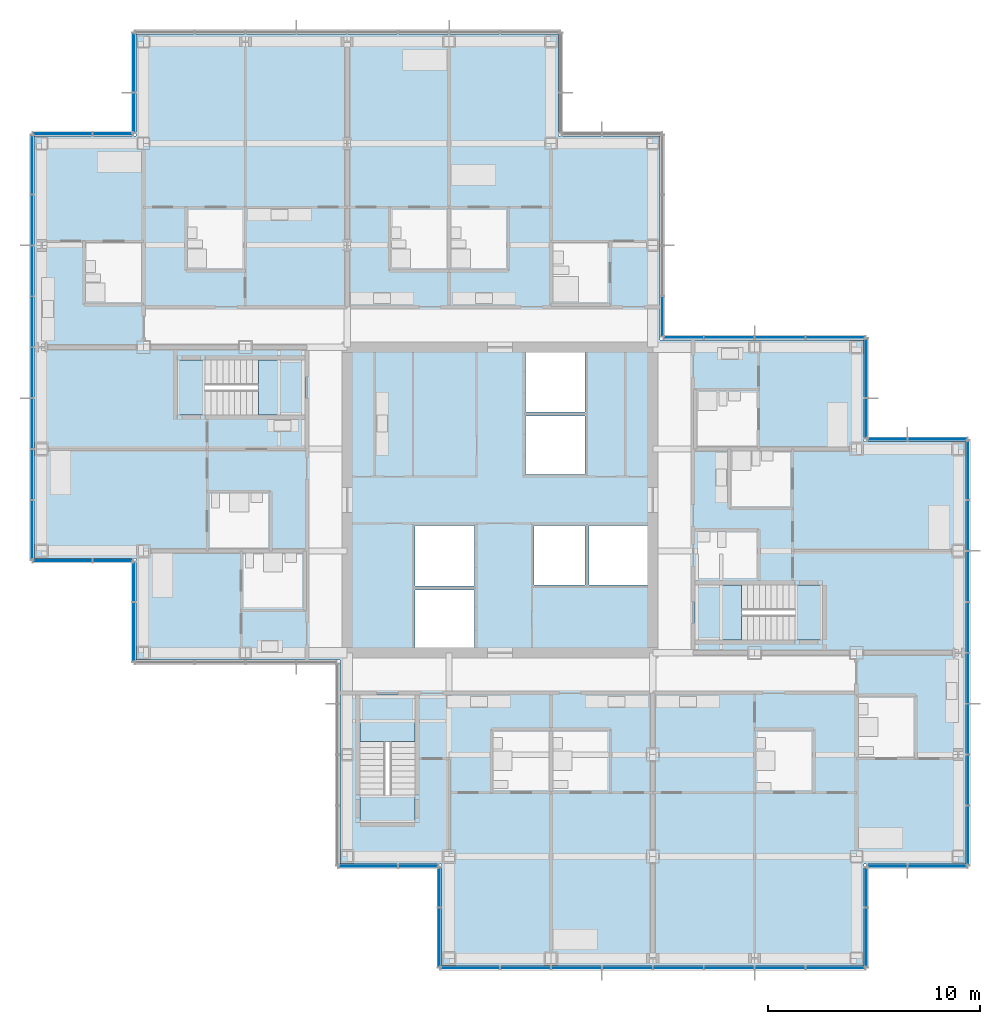
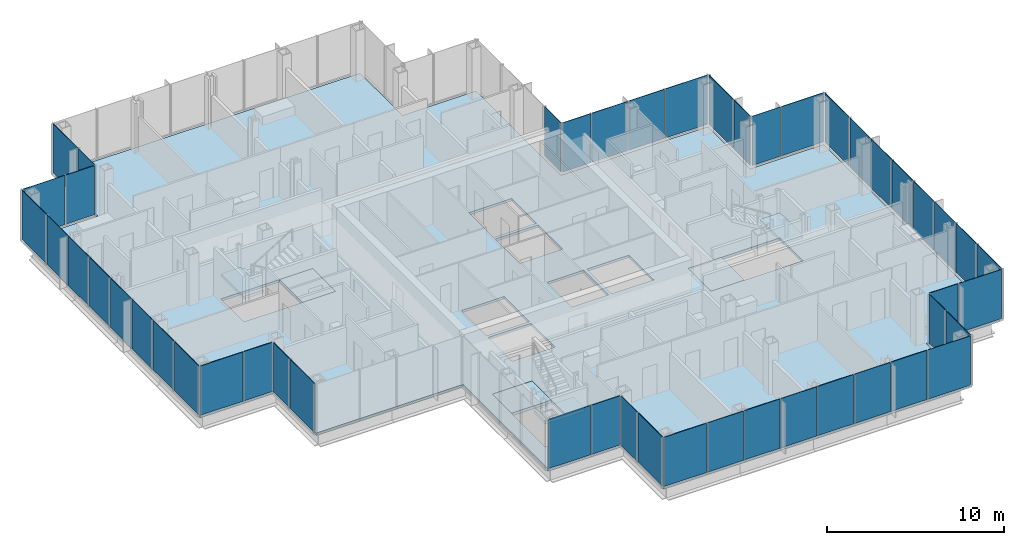
# One storey, part 12 of 20: 49 plates, 7 slabs, 18 elements without a shape of their own.
"""IFC4 building model written with IfcOpenShell, lengths in metres."""

from ifc_helpers import new_model, si_unit, direction, frame, origin, origin_2d, place, context, subcontext, project, spatial, polyline, rectangle, outline, extrude, material, layer, layer_set, type_object, element, aggregate, save


model = new_model("IFC4")

# Units and contexts
model_context = context("Model", 3, precision=1e-05, world=origin(), true_north=direction((0.0, 1.0)))
body_context = subcontext(model_context, "Body", "Model", "MODEL_VIEW")
ifc_project = project(units=[si_unit("LENGTHUNIT", "METRE"), si_unit("AREAUNIT", "SQUARE_METRE"), si_unit("VOLUMEUNIT", "CUBIC_METRE"), si_unit("PLANEANGLEUNIT", "RADIAN"), si_unit("MASSUNIT", "GRAM", prefix="KILO")], contexts=[model_context])

# Site, building, storey
site_placement = place(None, origin())
site = spatial("IfcSite", under=ifc_project, at=site_placement, CompositionType="ELEMENT")
building_placement = place(site_placement, origin())
building = spatial("IfcBuilding", under=site, at=building_placement, Name="Kvirike Care Tower", CompositionType="ELEMENT")
storey_placement = place(building_placement, frame((0.0, 0.0, 94.5)))
storey = spatial("IfcBuildingStorey", under=building, at=storey_placement, Name="L25", CompositionType="ELEMENT", Elevation=94.5)

# Slab
ifc_material_1 = material(Name="Concrete C35/45", Category="concrete")
ifc_layer_1 = layer(ifc_material_1, 0.169921875)
ifc_layer_set_1 = layer_set([ifc_layer_1], Name="FLOOR SLAB 170")
slab_type_1 = type_object("IfcSlabType", Name="FLOOR SLAB 170", PredefinedType="FLOOR", material=ifc_layer_set_1)
slab_1_placement = place(storey_placement, frame((0.0, 0.0, -0.169921875)))
element("IfcSlab", 1, at=slab_1_placement, inside=storey, type_object=slab_type_1, Name="Floor slab L25", PredefinedType="FLOOR", context=body_context, shape_type="SweptSolid", body=[
    extrude(outline(polyline([(43.550048828125, 18.85009765625), (43.550048828125, 38.75), (38.75, 38.75), (38.75, 43.550048828125), (29.14990234375, 43.550048828125), (29.14990234375, 53.14990234375), (24.35009765625, 53.14990234375), (24.35009765625, 57.949951171875), (4.449951171875, 57.949951171875), (4.449951171875, 53.14990234375), (-0.35009765625, 53.14990234375), (-0.35009765625, 33.25), (4.449951171875, 33.25), (4.449951171875, 28.449951171875), (14.050048828125, 28.449951171875), (14.050048828125, 18.85009765625), (18.85009765625, 18.85009765625), (18.85009765625, 14.050048828125), (38.75, 14.050048828125), (38.75, 18.85009765625), (43.550048828125, 18.85009765625)]), holes=[polyline([(17.60009765625, 29.050048828125), (17.60009765625, 31.75), (20.39990234375, 31.75), (20.39990234375, 29.050048828125), (17.60009765625, 29.050048828125)]), polyline([(17.60009765625, 31.949951171875), (17.60009765625, 34.800048828125), (20.39990234375, 34.800048828125), (20.39990234375, 31.949951171875), (17.60009765625, 31.949951171875)]), polyline([(22.800048828125, 37.199951171875), (22.800048828125, 39.949951171875), (25.60009765625, 39.949951171875), (25.60009765625, 37.199951171875), (22.800048828125, 37.199951171875)]), polyline([(22.800048828125, 40.14990234375), (22.800048828125, 42.949951171875), (25.60009765625, 42.949951171875), (25.60009765625, 40.14990234375), (22.800048828125, 40.14990234375)]), polyline([(23.199951171875, 32.0), (23.199951171875, 34.800048828125), (25.60009765625, 34.800048828125), (25.60009765625, 32.0), (23.199951171875, 32.0)]), polyline([(25.800048828125, 32.0), (25.800048828125, 34.800048828125), (28.550048828125, 34.800048828125), (28.550048828125, 32.0), (25.800048828125, 32.0)]), polyline([(12.39990234375, 42.60009765625), (12.39990234375, 40.0), (6.39990234375, 40.0), (6.39990234375, 42.60009765625), (12.39990234375, 42.60009765625)]), polyline([(30.800048828125, 29.39990234375), (30.800048828125, 32.0), (36.800048828125, 32.0), (36.800048828125, 29.39990234375), (30.800048828125, 29.39990234375)]), polyline([(15.0, 26.800048828125), (17.60009765625, 26.800048828125), (17.60009765625, 20.800048828125), (15.0, 20.800048828125), (15.0, 26.800048828125)])]), origin(), (0.0, 0.0, 1.0), 0.169921875),
])

# Stair, slabs
ifc_material_2 = material(Name="Concrete C35/45", Category="concrete")
stair_type = type_object("IfcStairType", Name="STAIR 20 RISERS", PredefinedType="HALF_TURN_STAIR", material=ifc_material_2)
stair_1_placement = place(storey_placement, origin())
stair_1 = element("IfcStair", 2, at=stair_1_placement, inside=storey, type_object=stair_type, Name="Stair 1 L25", PredefinedType="HALF_TURN_STAIR")
ifc_material_3 = material(Name="Concrete C35/45", Category="concrete")
ifc_layer_2 = layer(ifc_material_3, 0.199951171875)
ifc_layer_set_2 = layer_set([ifc_layer_2], Name="STAIR LANDING 200")
slab_type_2 = type_object("IfcSlabType", Name="STAIR LANDING 200", PredefinedType="LANDING", material=ifc_layer_set_2)
slab_2_placement = place(storey_placement, frame((0.0, 0.0, -0.199951171875)))
slab_2 = element("IfcSlab", 3, at=slab_2_placement, type_object=slab_type_2, Name="Stair S1 floor landing L25", PredefinedType="LANDING", context=body_context, shape_type="SweptSolid", body=[
    extrude(outline(polyline([(10.219970703125, 42.60009765625), (10.219970703125, 40.0), (12.39990234375, 40.0), (12.39990234375, 42.60009765625), (10.219970703125, 42.60009765625)])), origin(), (0.0, 0.0, 1.0), 0.199951171875),
])
slab_3_placement = place(storey_placement, frame((0.0, 0.0, 1.550048828125)))
slab_3 = element("IfcSlab", 4, at=slab_3_placement, type_object=slab_type_2, Name="Stair S1 half landing L25-L26", PredefinedType="LANDING", context=body_context, shape_type="SweptSolid", body=[
    extrude(outline(polyline([(6.39990234375, 42.60009765625), (6.39990234375, 40.0), (7.699951171875, 40.0), (7.699951171875, 42.60009765625), (6.39990234375, 42.60009765625)])), origin(), (0.0, 0.0, 1.0), 0.199951171875),
])
aggregate(stair_1, [slab_2, slab_3])

stair_2_placement = place(storey_placement, origin())
stair_2 = element("IfcStair", 5, at=stair_2_placement, inside=storey, type_object=stair_type, Name="Stair 2 L25", PredefinedType="HALF_TURN_STAIR")
slab_4_placement = place(storey_placement, frame((0.0, 0.0, -0.199951171875)))
slab_4 = element("IfcSlab", 6, at=slab_4_placement, type_object=slab_type_2, Name="Stair S2 floor landing L25", PredefinedType="LANDING", context=body_context, shape_type="SweptSolid", body=[
    extrude(outline(polyline([(32.97998046875, 29.39990234375), (32.97998046875, 32.0), (30.800048828125, 32.0), (30.800048828125, 29.39990234375), (32.97998046875, 29.39990234375)])), origin(), (0.0, 0.0, 1.0), 0.199951171875),
])
slab_5_placement = place(storey_placement, frame((0.0, 0.0, 1.550048828125)))
slab_5 = element("IfcSlab", 7, at=slab_5_placement, type_object=slab_type_2, Name="Stair S2 half landing L25-L26", PredefinedType="LANDING", context=body_context, shape_type="SweptSolid", body=[
    extrude(outline(polyline([(36.800048828125, 29.39990234375), (36.800048828125, 32.0), (35.5, 32.0), (35.5, 29.39990234375), (36.800048828125, 29.39990234375)])), origin(), (0.0, 0.0, 1.0), 0.199951171875),
])
aggregate(stair_2, [slab_4, slab_5])

stair_3_placement = place(storey_placement, origin())
stair_3 = element("IfcStair", 8, at=stair_3_placement, inside=storey, type_object=stair_type, Name="Stair 5 L25", PredefinedType="HALF_TURN_STAIR")
slab_6_placement = place(storey_placement, frame((0.0, 0.0, -0.199951171875)))
slab_6 = element("IfcSlab", 9, at=slab_6_placement, type_object=slab_type_2, Name="Stair S5 floor landing L25", PredefinedType="LANDING", context=body_context, shape_type="SweptSolid", body=[
    extrude(outline(polyline([(15.0, 24.6201171875), (17.60009765625, 24.6201171875), (17.60009765625, 26.800048828125), (15.0, 26.800048828125), (15.0, 24.6201171875)])), origin(), (0.0, 0.0, 1.0), 0.199951171875),
])
slab_7_placement = place(storey_placement, frame((0.0, 0.0, 1.550048828125)))
slab_7 = element("IfcSlab", 10, at=slab_7_placement, type_object=slab_type_2, Name="Stair S5 half landing L25-L26", PredefinedType="LANDING", context=body_context, shape_type="SweptSolid", body=[
    extrude(outline(polyline([(15.0, 20.800048828125), (17.60009765625, 20.800048828125), (17.60009765625, 22.10009765625), (15.0, 22.10009765625), (15.0, 20.800048828125)])), origin(), (0.0, 0.0, 1.0), 0.199951171875),
])
aggregate(stair_3, [slab_6, slab_7])

# Curtain wall, plates
ifc_material_4 = material(Name="Anodised aluminium stick system", Category="aluminium")
curtain_wall_type = type_object("IfcCurtainWallType", Name="CW-B STICK CURTAIN WALL", PredefinedType="NOTDEFINED", material=ifc_material_4)
curtain_wall_1_placement = place(storey_placement, origin())
curtain_wall_1 = element("IfcCurtainWall", 11, at=curtain_wall_1_placement, inside=storey, type_object=curtain_wall_type, Name="Curtain wall L25 face 1", PredefinedType="NOTDEFINED")
ifc_material_5 = material(Name="Tinted double glazed unit", Category="glass")
ifc_layer_3 = layer(ifc_material_5, 0.035888671875)
ifc_layer_set_3 = layer_set([ifc_layer_3], Name="TINTED VISION PANEL 36")
plate_type = type_object("IfcPlateType", Name="TINTED VISION PANEL 36", PredefinedType="CURTAIN_PANEL", material=ifc_layer_set_3)
plate_1_placement = place(storey_placement, frame((43.659912109375, 20.186279296875, 0.10009765625), z_axis=(0.0, 0.0, 1.0), x_axis=(0.0, 1.0, 0.0)))
plate_1 = element("IfcPlate", 12, at=plate_1_placement, type_object=plate_type, Name="CW-B panel L25 face 1.1", PredefinedType="CURTAIN_PANEL", context=body_context, shape_type="SweptSolid", body=[
    extrude(rectangle(XDim=2.762451171875, YDim=0.035888671875, at=origin_2d()), origin(), (0.0, 0.0, 1.0), 3.39990234375),
])
plate_2_placement = place(storey_placement, frame((43.659912109375, 22.800048828125, 0.10009765625), z_axis=(0.0, 0.0, 1.0), x_axis=(0.0, 1.0, 0.0)))
plate_2 = element("IfcPlate", 13, at=plate_2_placement, type_object=plate_type, Name="CW-B panel L25 face 1.2", PredefinedType="CURTAIN_PANEL", context=body_context, shape_type="SweptSolid", body=[
    extrude(rectangle(XDim=2.3349609375, YDim=0.035888671875, at=origin_2d()), origin(), (0.0, 0.0, 1.0), 3.39990234375),
])
plate_3_placement = place(storey_placement, frame((43.659912109375, 25.199951171875, 0.10009765625), z_axis=(0.0, 0.0, 1.0), x_axis=(0.0, 1.0, 0.0)))
plate_3 = element("IfcPlate", 14, at=plate_3_placement, type_object=plate_type, Name="CW-B panel L25 face 1.3", PredefinedType="CURTAIN_PANEL", context=body_context, shape_type="SweptSolid", body=[
    extrude(rectangle(XDim=2.3349609375, YDim=0.035888671875, at=origin_2d()), origin(), (0.0, 0.0, 1.0), 3.39990234375),
])
plate_4_placement = place(storey_placement, frame((43.659912109375, 27.60009765625, 0.10009765625), z_axis=(0.0, 0.0, 1.0), x_axis=(0.0, 1.0, 0.0)))
plate_4 = element("IfcPlate", 15, at=plate_4_placement, type_object=plate_type, Name="CW-B panel L25 face 1.4", PredefinedType="CURTAIN_PANEL", context=body_context, shape_type="SweptSolid", body=[
    extrude(rectangle(XDim=2.3349609375, YDim=0.035888671875, at=origin_2d()), origin(), (0.0, 0.0, 1.0), 3.39990234375),
])
plate_5_placement = place(storey_placement, frame((43.659912109375, 30.0, 0.10009765625), z_axis=(0.0, 0.0, 1.0), x_axis=(0.0, 1.0, 0.0)))
plate_5 = element("IfcPlate", 16, at=plate_5_placement, type_object=plate_type, Name="CW-B panel L25 face 1.5", PredefinedType="CURTAIN_PANEL", context=body_context, shape_type="SweptSolid", body=[
    extrude(rectangle(XDim=2.3349609375, YDim=0.035888671875, at=origin_2d()), origin(), (0.0, 0.0, 1.0), 3.39990234375),
])
plate_6_placement = place(storey_placement, frame((43.659912109375, 32.39990234375, 0.10009765625), z_axis=(0.0, 0.0, 1.0), x_axis=(0.0, 1.0, 0.0)))
plate_6 = element("IfcPlate", 17, at=plate_6_placement, type_object=plate_type, Name="CW-B panel L25 face 1.6", PredefinedType="CURTAIN_PANEL", context=body_context, shape_type="SweptSolid", body=[
    extrude(rectangle(XDim=2.3349609375, YDim=0.035888671875, at=origin_2d()), origin(), (0.0, 0.0, 1.0), 3.39990234375),
])
plate_7_placement = place(storey_placement, frame((43.659912109375, 34.800048828125, 0.10009765625), z_axis=(0.0, 0.0, 1.0), x_axis=(0.0, 1.0, 0.0)))
plate_7 = element("IfcPlate", 18, at=plate_7_placement, type_object=plate_type, Name="CW-B panel L25 face 1.7", PredefinedType="CURTAIN_PANEL", context=body_context, shape_type="SweptSolid", body=[
    extrude(rectangle(XDim=2.3349609375, YDim=0.035888671875, at=origin_2d()), origin(), (0.0, 0.0, 1.0), 3.39990234375),
])
plate_8_placement = place(storey_placement, frame((43.659912109375, 37.413818359375, 0.10009765625), z_axis=(0.0, 0.0, 1.0), x_axis=(0.0, 1.0, 0.0)))
plate_8 = element("IfcPlate", 19, at=plate_8_placement, type_object=plate_type, Name="CW-B panel L25 face 1.8", PredefinedType="CURTAIN_PANEL", context=body_context, shape_type="SweptSolid", body=[
    extrude(rectangle(XDim=2.762451171875, YDim=0.035888671875, at=origin_2d()), origin(), (0.0, 0.0, 1.0), 3.39990234375),
])
aggregate(curtain_wall_1, [plate_1, plate_2, plate_3, plate_4, plate_5, plate_6, plate_7, plate_8])

curtain_wall_2_placement = place(storey_placement, origin())
curtain_wall_2 = element("IfcCurtainWall", 20, at=curtain_wall_2_placement, inside=storey, type_object=curtain_wall_type, Name="Curtain wall L25 face 2", PredefinedType="NOTDEFINED")
plate_9_placement = place(storey_placement, frame((42.2138671875, 38.860107421875, 0.10009765625), z_axis=(0.0, 0.0, 1.0), x_axis=(-1.0, 0.0, 0.0)))
plate_9 = element("IfcPlate", 21, at=plate_9_placement, type_object=plate_type, Name="CW-B panel L25 face 2.1", PredefinedType="CURTAIN_PANEL", context=body_context, shape_type="SweptSolid", body=[
    extrude(rectangle(XDim=2.762451171875, YDim=0.035888671875, at=origin_2d()), origin(), (0.0, 0.0, 1.0), 3.39990234375),
])
plate_10_placement = place(storey_placement, frame((39.84619140625, 38.860107421875, 0.10009765625), z_axis=(0.0, 0.0, 1.0), x_axis=(-1.0, 0.0, 0.0)))
plate_10 = element("IfcPlate", 22, at=plate_10_placement, type_object=plate_type, Name="CW-B panel L25 face 2.2", PredefinedType="CURTAIN_PANEL", context=body_context, shape_type="SweptSolid", body=[
    extrude(rectangle(XDim=1.842529296875, YDim=0.035888671875, at=origin_2d()), origin(), (0.0, 0.0, 1.0), 3.39990234375),
])
aggregate(curtain_wall_2, [plate_9, plate_10])

curtain_wall_3_placement = place(storey_placement, origin())
curtain_wall_3 = element("IfcCurtainWall", 23, at=curtain_wall_3_placement, inside=storey, type_object=curtain_wall_type, Name="Curtain wall L25 face 3", PredefinedType="NOTDEFINED")
plate_11_placement = place(storey_placement, frame((38.860107421875, 39.84619140625, 0.10009765625), z_axis=(0.0, 0.0, 1.0), x_axis=(0.0, 1.0, 0.0)))
plate_11 = element("IfcPlate", 24, at=plate_11_placement, type_object=plate_type, Name="CW-B panel L25 face 3.1", PredefinedType="CURTAIN_PANEL", context=body_context, shape_type="SweptSolid", body=[
    extrude(rectangle(XDim=1.842529296875, YDim=0.035888671875, at=origin_2d()), origin(), (0.0, 0.0, 1.0), 3.39990234375),
])
plate_12_placement = place(storey_placement, frame((38.860107421875, 42.2138671875, 0.10009765625), z_axis=(0.0, 0.0, 1.0), x_axis=(0.0, 1.0, 0.0)))
plate_12 = element("IfcPlate", 25, at=plate_12_placement, type_object=plate_type, Name="CW-B panel L25 face 3.2", PredefinedType="CURTAIN_PANEL", context=body_context, shape_type="SweptSolid", body=[
    extrude(rectangle(XDim=2.762451171875, YDim=0.035888671875, at=origin_2d()), origin(), (0.0, 0.0, 1.0), 3.39990234375),
])
aggregate(curtain_wall_3, [plate_11, plate_12])

curtain_wall_4_placement = place(storey_placement, origin())
curtain_wall_4 = element("IfcCurtainWall", 26, at=curtain_wall_4_placement, inside=storey, type_object=curtain_wall_type, Name="Curtain wall L25 face 4", PredefinedType="NOTDEFINED")
plate_13_placement = place(storey_placement, frame((37.413818359375, 43.659912109375, 0.10009765625), z_axis=(0.0, 0.0, 1.0), x_axis=(-1.0, 0.0, 0.0)))
plate_13 = element("IfcPlate", 27, at=plate_13_placement, type_object=plate_type, Name="CW-B panel L25 face 4.1", PredefinedType="CURTAIN_PANEL", context=body_context, shape_type="SweptSolid", body=[
    extrude(rectangle(XDim=2.762451171875, YDim=0.035888671875, at=origin_2d()), origin(), (0.0, 0.0, 1.0), 3.39990234375),
])
plate_14_placement = place(storey_placement, frame((34.800048828125, 43.659912109375, 0.10009765625), z_axis=(0.0, 0.0, 1.0), x_axis=(-1.0, 0.0, 0.0)))
plate_14 = element("IfcPlate", 28, at=plate_14_placement, type_object=plate_type, Name="CW-B panel L25 face 4.2", PredefinedType="CURTAIN_PANEL", context=body_context, shape_type="SweptSolid", body=[
    extrude(rectangle(XDim=2.3349609375, YDim=0.035888671875, at=origin_2d()), origin(), (0.0, 0.0, 1.0), 3.39990234375),
])
plate_15_placement = place(storey_placement, frame((32.39990234375, 43.659912109375, 0.10009765625), z_axis=(0.0, 0.0, 1.0), x_axis=(-1.0, 0.0, 0.0)))
plate_15 = element("IfcPlate", 29, at=plate_15_placement, type_object=plate_type, Name="CW-B panel L25 face 4.3", PredefinedType="CURTAIN_PANEL", context=body_context, shape_type="SweptSolid", body=[
    extrude(rectangle(XDim=2.3349609375, YDim=0.035888671875, at=origin_2d()), origin(), (0.0, 0.0, 1.0), 3.39990234375),
])
plate_16_placement = place(storey_placement, frame((30.246337890625, 43.659912109375, 0.10009765625), z_axis=(0.0, 0.0, 1.0), x_axis=(-1.0, 0.0, 0.0)))
plate_16 = element("IfcPlate", 30, at=plate_16_placement, type_object=plate_type, Name="CW-B panel L25 face 4.4", PredefinedType="CURTAIN_PANEL", context=body_context, shape_type="SweptSolid", body=[
    extrude(rectangle(XDim=1.842529296875, YDim=0.035888671875, at=origin_2d()), origin(), (0.0, 0.0, 1.0), 3.39990234375),
])
aggregate(curtain_wall_4, [plate_13, plate_14, plate_15, plate_16])

# Curtain wall, plate
curtain_wall_5_placement = place(storey_placement, origin())
curtain_wall_5 = element("IfcCurtainWall", 31, at=curtain_wall_5_placement, inside=storey, type_object=curtain_wall_type, Name="Curtain wall L25 face 5", PredefinedType="NOTDEFINED")
plate_17_placement = place(storey_placement, frame((29.260009765625, 44.646240234375, 0.10009765625), z_axis=(0.0, 0.0, 1.0), x_axis=(0.0, 1.0, 0.0)))
plate_17 = element("IfcPlate", 32, at=plate_17_placement, type_object=plate_type, Name="CW-B panel L25 face 5.1", PredefinedType="CURTAIN_PANEL", context=body_context, shape_type="SweptSolid", body=[
    extrude(rectangle(XDim=1.842529296875, YDim=0.035888671875, at=origin_2d()), origin(), (0.0, 0.0, 1.0), 3.39990234375),
])
aggregate(curtain_wall_5, [plate_17])

# Curtain wall, plates
curtain_wall_6_placement = place(storey_placement, origin())
curtain_wall_6 = element("IfcCurtainWall", 33, at=curtain_wall_6_placement, inside=storey, type_object=curtain_wall_type, Name="Curtain wall L25 face 9", PredefinedType="NOTDEFINED")
plate_18_placement = place(storey_placement, frame((4.340087890625, 56.61376953125, 0.10009765625), z_axis=(0.0, 0.0, 1.0), x_axis=(0.0, -1.0, 0.0)))
plate_18 = element("IfcPlate", 34, at=plate_18_placement, type_object=plate_type, Name="CW-B panel L25 face 9.1", PredefinedType="CURTAIN_PANEL", context=body_context, shape_type="SweptSolid", body=[
    extrude(rectangle(XDim=2.762451171875, YDim=0.035888671875, at=origin_2d()), origin(), (0.0, 0.0, 1.0), 3.39990234375),
])
plate_19_placement = place(storey_placement, frame((4.340087890625, 54.246337890625, 0.10009765625), z_axis=(0.0, 0.0, 1.0), x_axis=(0.0, -1.0, 0.0)))
plate_19 = element("IfcPlate", 35, at=plate_19_placement, type_object=plate_type, Name="CW-B panel L25 face 9.2", PredefinedType="CURTAIN_PANEL", context=body_context, shape_type="SweptSolid", body=[
    extrude(rectangle(XDim=1.842529296875, YDim=0.035888671875, at=origin_2d()), origin(), (0.0, 0.0, 1.0), 3.39990234375),
])
aggregate(curtain_wall_6, [plate_18, plate_19])

curtain_wall_7_placement = place(storey_placement, origin())
curtain_wall_7 = element("IfcCurtainWall", 36, at=curtain_wall_7_placement, inside=storey, type_object=curtain_wall_type, Name="Curtain wall L25 face 10", PredefinedType="NOTDEFINED")
plate_20_placement = place(storey_placement, frame((3.353759765625, 53.260009765625, 0.10009765625), z_axis=(0.0, 0.0, 1.0), x_axis=(-1.0, 0.0, 0.0)))
plate_20 = element("IfcPlate", 37, at=plate_20_placement, type_object=plate_type, Name="CW-B panel L25 face 10.1", PredefinedType="CURTAIN_PANEL", context=body_context, shape_type="SweptSolid", body=[
    extrude(rectangle(XDim=1.842529296875, YDim=0.035888671875, at=origin_2d()), origin(), (0.0, 0.0, 1.0), 3.39990234375),
])
plate_21_placement = place(storey_placement, frame((0.986328125, 53.260009765625, 0.10009765625), z_axis=(0.0, 0.0, 1.0), x_axis=(-1.0, 0.0, 0.0)))
plate_21 = element("IfcPlate", 38, at=plate_21_placement, type_object=plate_type, Name="CW-B panel L25 face 10.2", PredefinedType="CURTAIN_PANEL", context=body_context, shape_type="SweptSolid", body=[
    extrude(rectangle(XDim=2.762451171875, YDim=0.035888671875, at=origin_2d()), origin(), (0.0, 0.0, 1.0), 3.39990234375),
])
aggregate(curtain_wall_7, [plate_20, plate_21])

curtain_wall_8_placement = place(storey_placement, origin())
curtain_wall_8 = element("IfcCurtainWall", 39, at=curtain_wall_8_placement, inside=storey, type_object=curtain_wall_type, Name="Curtain wall L25 face 11", PredefinedType="NOTDEFINED")
plate_22_placement = place(storey_placement, frame((-0.4599609375, 51.813720703125, 0.10009765625), z_axis=(0.0, 0.0, 1.0), x_axis=(0.0, -1.0, 0.0)))
plate_22 = element("IfcPlate", 40, at=plate_22_placement, type_object=plate_type, Name="CW-B panel L25 face 11.1", PredefinedType="CURTAIN_PANEL", context=body_context, shape_type="SweptSolid", body=[
    extrude(rectangle(XDim=2.762451171875, YDim=0.035888671875, at=origin_2d()), origin(), (0.0, 0.0, 1.0), 3.39990234375),
])
plate_23_placement = place(storey_placement, frame((-0.4599609375, 49.199951171875, 0.10009765625), z_axis=(0.0, 0.0, 1.0), x_axis=(0.0, -1.0, 0.0)))
plate_23 = element("IfcPlate", 41, at=plate_23_placement, type_object=plate_type, Name="CW-B panel L25 face 11.2", PredefinedType="CURTAIN_PANEL", context=body_context, shape_type="SweptSolid", body=[
    extrude(rectangle(XDim=2.3349609375, YDim=0.035888671875, at=origin_2d()), origin(), (0.0, 0.0, 1.0), 3.39990234375),
])
plate_24_placement = place(storey_placement, frame((-0.4599609375, 46.800048828125, 0.10009765625), z_axis=(0.0, 0.0, 1.0), x_axis=(0.0, -1.0, 0.0)))
plate_24 = element("IfcPlate", 42, at=plate_24_placement, type_object=plate_type, Name="CW-B panel L25 face 11.3", PredefinedType="CURTAIN_PANEL", context=body_context, shape_type="SweptSolid", body=[
    extrude(rectangle(XDim=2.3349609375, YDim=0.035888671875, at=origin_2d()), origin(), (0.0, 0.0, 1.0), 3.39990234375),
])
plate_25_placement = place(storey_placement, frame((-0.4599609375, 44.39990234375, 0.10009765625), z_axis=(0.0, 0.0, 1.0), x_axis=(0.0, -1.0, 0.0)))
plate_25 = element("IfcPlate", 43, at=plate_25_placement, type_object=plate_type, Name="CW-B panel L25 face 11.4", PredefinedType="CURTAIN_PANEL", context=body_context, shape_type="SweptSolid", body=[
    extrude(rectangle(XDim=2.3349609375, YDim=0.035888671875, at=origin_2d()), origin(), (0.0, 0.0, 1.0), 3.39990234375),
])
plate_26_placement = place(storey_placement, frame((-0.4599609375, 42.0, 0.10009765625), z_axis=(0.0, 0.0, 1.0), x_axis=(0.0, -1.0, 0.0)))
plate_26 = element("IfcPlate", 44, at=plate_26_placement, type_object=plate_type, Name="CW-B panel L25 face 11.5", PredefinedType="CURTAIN_PANEL", context=body_context, shape_type="SweptSolid", body=[
    extrude(rectangle(XDim=2.3349609375, YDim=0.035888671875, at=origin_2d()), origin(), (0.0, 0.0, 1.0), 3.39990234375),
])
plate_27_placement = place(storey_placement, frame((-0.4599609375, 39.60009765625, 0.10009765625), z_axis=(0.0, 0.0, 1.0), x_axis=(0.0, -1.0, 0.0)))
plate_27 = element("IfcPlate", 45, at=plate_27_placement, type_object=plate_type, Name="CW-B panel L25 face 11.6", PredefinedType="CURTAIN_PANEL", context=body_context, shape_type="SweptSolid", body=[
    extrude(rectangle(XDim=2.3349609375, YDim=0.035888671875, at=origin_2d()), origin(), (0.0, 0.0, 1.0), 3.39990234375),
])
plate_28_placement = place(storey_placement, frame((-0.4599609375, 37.199951171875, 0.10009765625), z_axis=(0.0, 0.0, 1.0), x_axis=(0.0, -1.0, 0.0)))
plate_28 = element("IfcPlate", 46, at=plate_28_placement, type_object=plate_type, Name="CW-B panel L25 face 11.7", PredefinedType="CURTAIN_PANEL", context=body_context, shape_type="SweptSolid", body=[
    extrude(rectangle(XDim=2.3349609375, YDim=0.035888671875, at=origin_2d()), origin(), (0.0, 0.0, 1.0), 3.39990234375),
])
plate_29_placement = place(storey_placement, frame((-0.4599609375, 34.586181640625, 0.10009765625), z_axis=(0.0, 0.0, 1.0), x_axis=(0.0, -1.0, 0.0)))
plate_29 = element("IfcPlate", 47, at=plate_29_placement, type_object=plate_type, Name="CW-B panel L25 face 11.8", PredefinedType="CURTAIN_PANEL", context=body_context, shape_type="SweptSolid", body=[
    extrude(rectangle(XDim=2.762451171875, YDim=0.035888671875, at=origin_2d()), origin(), (0.0, 0.0, 1.0), 3.39990234375),
])
aggregate(curtain_wall_8, [plate_22, plate_23, plate_24, plate_25, plate_26, plate_27, plate_28, plate_29])

curtain_wall_9_placement = place(storey_placement, origin())
curtain_wall_9 = element("IfcCurtainWall", 48, at=curtain_wall_9_placement, inside=storey, type_object=curtain_wall_type, Name="Curtain wall L25 face 12", PredefinedType="NOTDEFINED")
plate_30_placement = place(storey_placement, frame((0.986328125, 33.139892578125, 0.10009765625), z_axis=(0.0, 0.0, 1.0), x_axis=(1.0, 0.0, 0.0)))
plate_30 = element("IfcPlate", 49, at=plate_30_placement, type_object=plate_type, Name="CW-B panel L25 face 12.1", PredefinedType="CURTAIN_PANEL", context=body_context, shape_type="SweptSolid", body=[
    extrude(rectangle(XDim=2.762451171875, YDim=0.035888671875, at=origin_2d()), origin(), (0.0, 0.0, 1.0), 3.39990234375),
])
plate_31_placement = place(storey_placement, frame((3.353759765625, 33.139892578125, 0.10009765625), z_axis=(0.0, 0.0, 1.0), x_axis=(1.0, 0.0, 0.0)))
plate_31 = element("IfcPlate", 50, at=plate_31_placement, type_object=plate_type, Name="CW-B panel L25 face 12.2", PredefinedType="CURTAIN_PANEL", context=body_context, shape_type="SweptSolid", body=[
    extrude(rectangle(XDim=1.842529296875, YDim=0.035888671875, at=origin_2d()), origin(), (0.0, 0.0, 1.0), 3.39990234375),
])
aggregate(curtain_wall_9, [plate_30, plate_31])

curtain_wall_10_placement = place(storey_placement, origin())
curtain_wall_10 = element("IfcCurtainWall", 51, at=curtain_wall_10_placement, inside=storey, type_object=curtain_wall_type, Name="Curtain wall L25 face 13", PredefinedType="NOTDEFINED")
plate_32_placement = place(storey_placement, frame((4.340087890625, 32.15380859375, 0.10009765625), z_axis=(0.0, 0.0, 1.0), x_axis=(0.0, -1.0, 0.0)))
plate_32 = element("IfcPlate", 52, at=plate_32_placement, type_object=plate_type, Name="CW-B panel L25 face 13.1", PredefinedType="CURTAIN_PANEL", context=body_context, shape_type="SweptSolid", body=[
    extrude(rectangle(XDim=1.842529296875, YDim=0.035888671875, at=origin_2d()), origin(), (0.0, 0.0, 1.0), 3.39990234375),
])
plate_33_placement = place(storey_placement, frame((4.340087890625, 29.7861328125, 0.10009765625), z_axis=(0.0, 0.0, 1.0), x_axis=(0.0, -1.0, 0.0)))
plate_33 = element("IfcPlate", 53, at=plate_33_placement, type_object=plate_type, Name="CW-B panel L25 face 13.2", PredefinedType="CURTAIN_PANEL", context=body_context, shape_type="SweptSolid", body=[
    extrude(rectangle(XDim=2.762451171875, YDim=0.035888671875, at=origin_2d()), origin(), (0.0, 0.0, 1.0), 3.39990234375),
])
aggregate(curtain_wall_10, [plate_32, plate_33])

curtain_wall_11_placement = place(storey_placement, origin())
curtain_wall_11 = element("IfcCurtainWall", 54, at=curtain_wall_11_placement, inside=storey, type_object=curtain_wall_type, Name="Curtain wall L25 face 16", PredefinedType="NOTDEFINED")
plate_34_placement = place(storey_placement, frame((15.38623046875, 18.739990234375, 0.10009765625), z_axis=(0.0, 0.0, 1.0), x_axis=(1.0, 0.0, 0.0)))
plate_34 = element("IfcPlate", 55, at=plate_34_placement, type_object=plate_type, Name="CW-B panel L25 face 16.1", PredefinedType="CURTAIN_PANEL", context=body_context, shape_type="SweptSolid", body=[
    extrude(rectangle(XDim=2.762451171875, YDim=0.035888671875, at=origin_2d()), origin(), (0.0, 0.0, 1.0), 3.39990234375),
])
plate_35_placement = place(storey_placement, frame((17.753662109375, 18.739990234375, 0.10009765625), z_axis=(0.0, 0.0, 1.0), x_axis=(1.0, 0.0, 0.0)))
plate_35 = element("IfcPlate", 56, at=plate_35_placement, type_object=plate_type, Name="CW-B panel L25 face 16.2", PredefinedType="CURTAIN_PANEL", context=body_context, shape_type="SweptSolid", body=[
    extrude(rectangle(XDim=1.842529296875, YDim=0.035888671875, at=origin_2d()), origin(), (0.0, 0.0, 1.0), 3.39990234375),
])
aggregate(curtain_wall_11, [plate_34, plate_35])

curtain_wall_12_placement = place(storey_placement, origin())
curtain_wall_12 = element("IfcCurtainWall", 57, at=curtain_wall_12_placement, inside=storey, type_object=curtain_wall_type, Name="Curtain wall L25 face 17", PredefinedType="NOTDEFINED")
plate_36_placement = place(storey_placement, frame((18.739990234375, 17.753662109375, 0.10009765625), z_axis=(0.0, 0.0, 1.0), x_axis=(0.0, -1.0, 0.0)))
plate_36 = element("IfcPlate", 58, at=plate_36_placement, type_object=plate_type, Name="CW-B panel L25 face 17.1", PredefinedType="CURTAIN_PANEL", context=body_context, shape_type="SweptSolid", body=[
    extrude(rectangle(XDim=1.842529296875, YDim=0.035888671875, at=origin_2d()), origin(), (0.0, 0.0, 1.0), 3.39990234375),
])
plate_37_placement = place(storey_placement, frame((18.739990234375, 15.38623046875, 0.10009765625), z_axis=(0.0, 0.0, 1.0), x_axis=(0.0, -1.0, 0.0)))
plate_37 = element("IfcPlate", 59, at=plate_37_placement, type_object=plate_type, Name="CW-B panel L25 face 17.2", PredefinedType="CURTAIN_PANEL", context=body_context, shape_type="SweptSolid", body=[
    extrude(rectangle(XDim=2.762451171875, YDim=0.035888671875, at=origin_2d()), origin(), (0.0, 0.0, 1.0), 3.39990234375),
])
aggregate(curtain_wall_12, [plate_36, plate_37])

curtain_wall_13_placement = place(storey_placement, origin())
curtain_wall_13 = element("IfcCurtainWall", 60, at=curtain_wall_13_placement, inside=storey, type_object=curtain_wall_type, Name="Curtain wall L25 face 18", PredefinedType="NOTDEFINED")
plate_38_placement = place(storey_placement, frame((20.186279296875, 13.93994140625, 0.10009765625), z_axis=(0.0, 0.0, 1.0), x_axis=(1.0, 0.0, 0.0)))
plate_38 = element("IfcPlate", 61, at=plate_38_placement, type_object=plate_type, Name="CW-B panel L25 face 18.1", PredefinedType="CURTAIN_PANEL", context=body_context, shape_type="SweptSolid", body=[
    extrude(rectangle(XDim=2.762451171875, YDim=0.035888671875, at=origin_2d()), origin(), (0.0, 0.0, 1.0), 3.39990234375),
])
plate_39_placement = place(storey_placement, frame((22.800048828125, 13.93994140625, 0.10009765625), z_axis=(0.0, 0.0, 1.0), x_axis=(1.0, 0.0, 0.0)))
plate_39 = element("IfcPlate", 62, at=plate_39_placement, type_object=plate_type, Name="CW-B panel L25 face 18.2", PredefinedType="CURTAIN_PANEL", context=body_context, shape_type="SweptSolid", body=[
    extrude(rectangle(XDim=2.3349609375, YDim=0.035888671875, at=origin_2d()), origin(), (0.0, 0.0, 1.0), 3.39990234375),
])
plate_40_placement = place(storey_placement, frame((25.199951171875, 13.93994140625, 0.10009765625), z_axis=(0.0, 0.0, 1.0), x_axis=(1.0, 0.0, 0.0)))
plate_40 = element("IfcPlate", 63, at=plate_40_placement, type_object=plate_type, Name="CW-B panel L25 face 18.3", PredefinedType="CURTAIN_PANEL", context=body_context, shape_type="SweptSolid", body=[
    extrude(rectangle(XDim=2.3349609375, YDim=0.035888671875, at=origin_2d()), origin(), (0.0, 0.0, 1.0), 3.39990234375),
])
plate_41_placement = place(storey_placement, frame((27.60009765625, 13.93994140625, 0.10009765625), z_axis=(0.0, 0.0, 1.0), x_axis=(1.0, 0.0, 0.0)))
plate_41 = element("IfcPlate", 64, at=plate_41_placement, type_object=plate_type, Name="CW-B panel L25 face 18.4", PredefinedType="CURTAIN_PANEL", context=body_context, shape_type="SweptSolid", body=[
    extrude(rectangle(XDim=2.3349609375, YDim=0.035888671875, at=origin_2d()), origin(), (0.0, 0.0, 1.0), 3.39990234375),
])
plate_42_placement = place(storey_placement, frame((30.0, 13.93994140625, 0.10009765625), z_axis=(0.0, 0.0, 1.0), x_axis=(1.0, 0.0, 0.0)))
plate_42 = element("IfcPlate", 65, at=plate_42_placement, type_object=plate_type, Name="CW-B panel L25 face 18.5", PredefinedType="CURTAIN_PANEL", context=body_context, shape_type="SweptSolid", body=[
    extrude(rectangle(XDim=2.3349609375, YDim=0.035888671875, at=origin_2d()), origin(), (0.0, 0.0, 1.0), 3.39990234375),
])
plate_43_placement = place(storey_placement, frame((32.39990234375, 13.93994140625, 0.10009765625), z_axis=(0.0, 0.0, 1.0), x_axis=(1.0, 0.0, 0.0)))
plate_43 = element("IfcPlate", 66, at=plate_43_placement, type_object=plate_type, Name="CW-B panel L25 face 18.6", PredefinedType="CURTAIN_PANEL", context=body_context, shape_type="SweptSolid", body=[
    extrude(rectangle(XDim=2.3349609375, YDim=0.035888671875, at=origin_2d()), origin(), (0.0, 0.0, 1.0), 3.39990234375),
])
plate_44_placement = place(storey_placement, frame((34.800048828125, 13.93994140625, 0.10009765625), z_axis=(0.0, 0.0, 1.0), x_axis=(1.0, 0.0, 0.0)))
plate_44 = element("IfcPlate", 67, at=plate_44_placement, type_object=plate_type, Name="CW-B panel L25 face 18.7", PredefinedType="CURTAIN_PANEL", context=body_context, shape_type="SweptSolid", body=[
    extrude(rectangle(XDim=2.3349609375, YDim=0.035888671875, at=origin_2d()), origin(), (0.0, 0.0, 1.0), 3.39990234375),
])
plate_45_placement = place(storey_placement, frame((37.413818359375, 13.93994140625, 0.10009765625), z_axis=(0.0, 0.0, 1.0), x_axis=(1.0, 0.0, 0.0)))
plate_45 = element("IfcPlate", 68, at=plate_45_placement, type_object=plate_type, Name="CW-B panel L25 face 18.8", PredefinedType="CURTAIN_PANEL", context=body_context, shape_type="SweptSolid", body=[
    extrude(rectangle(XDim=2.762451171875, YDim=0.035888671875, at=origin_2d()), origin(), (0.0, 0.0, 1.0), 3.39990234375),
])
aggregate(curtain_wall_13, [plate_38, plate_39, plate_40, plate_41, plate_42, plate_43, plate_44, plate_45])

curtain_wall_14_placement = place(storey_placement, origin())
curtain_wall_14 = element("IfcCurtainWall", 69, at=curtain_wall_14_placement, inside=storey, type_object=curtain_wall_type, Name="Curtain wall L25 face 19", PredefinedType="NOTDEFINED")
plate_46_placement = place(storey_placement, frame((38.860107421875, 15.38623046875, 0.10009765625), z_axis=(0.0, 0.0, 1.0), x_axis=(0.0, 1.0, 0.0)))
plate_46 = element("IfcPlate", 70, at=plate_46_placement, type_object=plate_type, Name="CW-B panel L25 face 19.1", PredefinedType="CURTAIN_PANEL", context=body_context, shape_type="SweptSolid", body=[
    extrude(rectangle(XDim=2.762451171875, YDim=0.035888671875, at=origin_2d()), origin(), (0.0, 0.0, 1.0), 3.39990234375),
])
plate_47_placement = place(storey_placement, frame((38.860107421875, 17.753662109375, 0.10009765625), z_axis=(0.0, 0.0, 1.0), x_axis=(0.0, 1.0, 0.0)))
plate_47 = element("IfcPlate", 71, at=plate_47_placement, type_object=plate_type, Name="CW-B panel L25 face 19.2", PredefinedType="CURTAIN_PANEL", context=body_context, shape_type="SweptSolid", body=[
    extrude(rectangle(XDim=1.842529296875, YDim=0.035888671875, at=origin_2d()), origin(), (0.0, 0.0, 1.0), 3.39990234375),
])
aggregate(curtain_wall_14, [plate_46, plate_47])

curtain_wall_15_placement = place(storey_placement, origin())
curtain_wall_15 = element("IfcCurtainWall", 72, at=curtain_wall_15_placement, inside=storey, type_object=curtain_wall_type, Name="Curtain wall L25 face 20", PredefinedType="NOTDEFINED")
plate_48_placement = place(storey_placement, frame((39.84619140625, 18.739990234375, 0.10009765625), z_axis=(0.0, 0.0, 1.0), x_axis=(1.0, 0.0, 0.0)))
plate_48 = element("IfcPlate", 73, at=plate_48_placement, type_object=plate_type, Name="CW-B panel L25 face 20.1", PredefinedType="CURTAIN_PANEL", context=body_context, shape_type="SweptSolid", body=[
    extrude(rectangle(XDim=1.842529296875, YDim=0.035888671875, at=origin_2d()), origin(), (0.0, 0.0, 1.0), 3.39990234375),
])
plate_49_placement = place(storey_placement, frame((42.2138671875, 18.739990234375, 0.10009765625), z_axis=(0.0, 0.0, 1.0), x_axis=(1.0, 0.0, 0.0)))
plate_49 = element("IfcPlate", 74, at=plate_49_placement, type_object=plate_type, Name="CW-B panel L25 face 20.2", PredefinedType="CURTAIN_PANEL", context=body_context, shape_type="SweptSolid", body=[
    extrude(rectangle(XDim=2.762451171875, YDim=0.035888671875, at=origin_2d()), origin(), (0.0, 0.0, 1.0), 3.39990234375),
])
aggregate(curtain_wall_15, [plate_48, plate_49])

save(model, "model.ifc")
